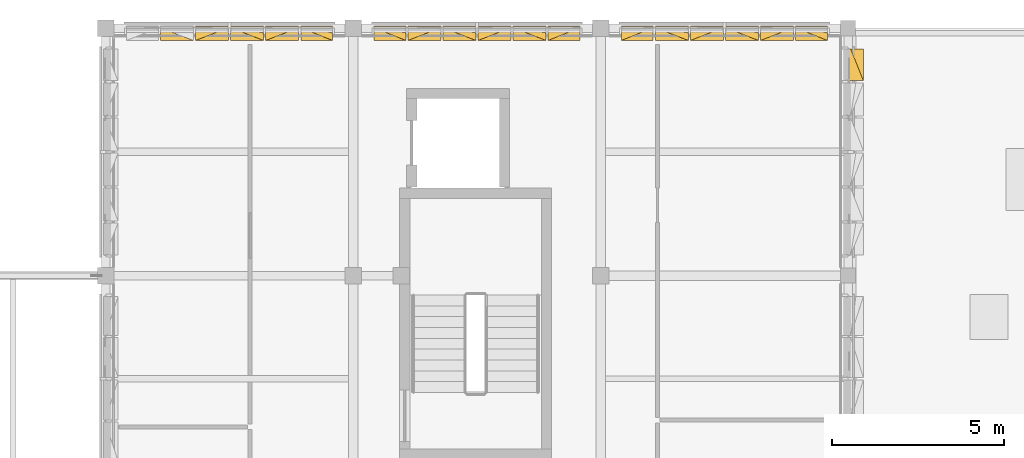
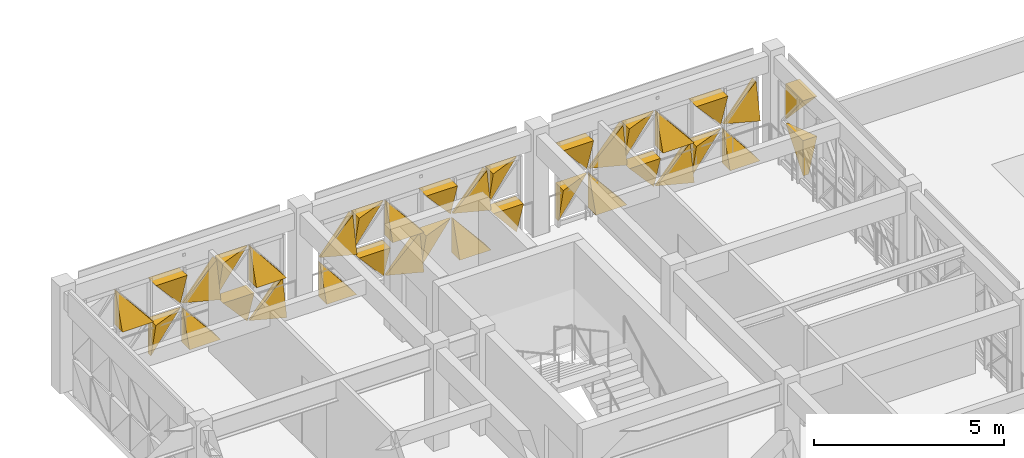
# One storey, part 30 of 30: 35 coverings.
"""IFC4 building model written with IfcOpenShell, lengths in metres."""

from ifc_helpers import new_model, si_unit, direction, frame, origin, place, context, subcontext, project, spatial, polygons, material, layer, layer_set, type_object, element, save


model = new_model("IFC4")

# Units and contexts
model_context = context("Model", 3, precision=1e-05, world=origin(), true_north=direction((0.0, 1.0)))
body_context = subcontext(model_context, "Body", "Model", "MODEL_VIEW")
ifc_project = project(units=[si_unit("LENGTHUNIT", "METRE"), si_unit("AREAUNIT", "SQUARE_METRE"), si_unit("VOLUMEUNIT", "CUBIC_METRE"), si_unit("PLANEANGLEUNIT", "RADIAN"), si_unit("MASSUNIT", "GRAM", prefix="KILO")], contexts=[model_context])

# Site, building, storey
site_placement = place(None, origin())
site = spatial("IfcSite", under=ifc_project, at=site_placement, CompositionType="ELEMENT")
building_placement = place(site_placement, origin())
building = spatial("IfcBuilding", under=site, at=building_placement, Name="Alvorim Cloister Faculty of Sciences", CompositionType="ELEMENT")
storey_placement = place(building_placement, frame((0.0, 0.0, 26.25)))
storey = spatial("IfcBuildingStorey", under=building, at=storey_placement, Name="L07", CompositionType="ELEMENT", Elevation=26.25)

# Coverings
ifc_material = material(Name="Perforated Bronze Alloy Sheet", Category="metal")
ifc_layer = layer(ifc_material, 0.0380859375)
ifc_layer_set = layer_set([ifc_layer], Name="Perforated Bronze Alloy Sheet")
covering_type = type_object("IfcCoveringType", Name="COV-TRI-BRZ", PredefinedType="CLADDING", material=ifc_layer_set)
covering_1_placement = place(storey_placement, frame((8.79248046875, 56.445068359375, 1.419921875), z_axis=(0.0, 0.0, 1.0), x_axis=(1.0, 0.0, 0.0)))
element("IfcCovering", 1, at=covering_1_placement, inside=storey, type_object=covering_type, Name="Diagonal Solid Metal Triangle TRI-BL", PredefinedType="CLADDING", context=body_context, shape_type="Tessellation", body=[
    polygons([(0.0, 0.0260009765625, 0.0), (0.953078125, 0.0260009765625, 0.0), (0.0, 0.0260009765625, 1.13813671875), (0.0, -0.4, 0.0), (0.953078125, -0.4, 0.0), (0.0, -0.03, 1.13813671875)], [[[1, 3, 2]], [[4, 5, 6]], [[1, 2, 5, 4]], [[2, 3, 6, 5]], [[3, 1, 4, 6]]], closed=True),
])
covering_2_placement = place(storey_placement, frame((9.8125, 56.445068359375, 0.139892578125), z_axis=(0.0, 0.0, 1.0), x_axis=(1.0, 0.0, 0.0)))
element("IfcCovering", 2, at=covering_2_placement, inside=storey, type_object=covering_type, Name="Diagonal Solid Metal Triangle TRI-TL", PredefinedType="CLADDING", context=body_context, shape_type="Tessellation", body=[
    polygons([(0.953078125, 0.0260009765625, 1.14013671875), (0.0, 0.0260009765625, 1.14013671875), (0.0, 0.0260009765625, 0.002), (0.953078125, -0.03, 1.14013671875), (0.0, -0.4, 1.14013671875), (0.0, -0.13999999999999999, 0.002)], [[[1, 3, 2]], [[4, 5, 6]], [[1, 2, 5, 4]], [[2, 3, 6, 5]], [[3, 1, 4, 6]]], closed=True),
])
covering_3_placement = place(storey_placement, frame((9.8125, 56.445068359375, 1.419921875), z_axis=(0.0, 0.0, 1.0), x_axis=(1.0, 0.0, 0.0)))
element("IfcCovering", 3, at=covering_3_placement, inside=storey, type_object=covering_type, Name="Diagonal Solid Metal Triangle TRI-TR", PredefinedType="CLADDING", context=body_context, shape_type="Tessellation", body=[
    polygons([(0.955078125, 0.0260009765625, 0.002), (0.955078125, 0.0260009765625, 1.14013671875), (0.002, 0.0260009765625, 1.14013671875), (0.955078125, -0.03, 0.002), (0.955078125, -0.4, 1.14013671875), (0.002, -0.4, 1.14013671875)], [[[1, 3, 2]], [[4, 5, 6]], [[1, 2, 5, 4]], [[2, 3, 6, 5]], [[3, 1, 4, 6]]], closed=True),
])
covering_4_placement = place(storey_placement, frame((10.83251953125, 56.445068359375, 0.139892578125), z_axis=(0.0, 0.0, 1.0), x_axis=(1.0, 0.0, 0.0)))
element("IfcCovering", 4, at=covering_4_placement, inside=storey, type_object=covering_type, Name="Diagonal Solid Metal Triangle TRI-BL", PredefinedType="CLADDING", context=body_context, shape_type="Tessellation", body=[
    polygons([(0.0, 0.0260009765625, 0.0), (0.953078125, 0.0260009765625, 0.0), (0.0, 0.0260009765625, 1.13813671875), (0.0, -0.4, 0.0), (0.953078125, -0.4, 0.0), (0.0, -0.03, 1.13813671875)], [[[1, 3, 2]], [[4, 5, 6]], [[1, 2, 5, 4]], [[2, 3, 6, 5]], [[3, 1, 4, 6]]], closed=True),
])
covering_5_placement = place(storey_placement, frame((10.83251953125, 56.445068359375, 1.419921875), z_axis=(0.0, 0.0, 1.0), x_axis=(1.0, 0.0, 0.0)))
element("IfcCovering", 5, at=covering_5_placement, inside=storey, type_object=covering_type, Name="Diagonal Solid Metal Triangle TRI-BR", PredefinedType="CLADDING", context=body_context, shape_type="Tessellation", body=[
    polygons([(0.002, 0.0260009765625, 0.0), (0.955078125, 0.0260009765625, 0.0), (0.955078125, 0.0260009765625, 1.13813671875), (0.002, -0.03, 0.0), (0.955078125, -0.4, 0.0), (0.955078125, -0.18000000000000002, 1.13813671875)], [[[1, 3, 2]], [[4, 5, 6]], [[1, 2, 5, 4]], [[2, 3, 6, 5]], [[3, 1, 4, 6]]], closed=True),
])
covering_6_placement = place(storey_placement, frame((11.8525390625, 56.445068359375, 0.139892578125), z_axis=(0.0, 0.0, 1.0), x_axis=(1.0, 0.0, 0.0)))
element("IfcCovering", 6, at=covering_6_placement, inside=storey, type_object=covering_type, Name="Diagonal Solid Metal Triangle TRI-TR", PredefinedType="CLADDING", context=body_context, shape_type="Tessellation", body=[
    polygons([(0.955078125, 0.0260009765625, 0.002), (0.955078125, 0.0260009765625, 1.14013671875), (0.002, 0.0260009765625, 1.14013671875), (0.955078125, -0.03, 0.002), (0.955078125, -0.4, 1.14013671875), (0.002, -0.4, 1.14013671875)], [[[1, 3, 2]], [[4, 5, 6]], [[1, 2, 5, 4]], [[2, 3, 6, 5]], [[3, 1, 4, 6]]], closed=True),
])
covering_7_placement = place(storey_placement, frame((11.8525390625, 56.445068359375, 1.419921875), z_axis=(0.0, 0.0, 1.0), x_axis=(1.0, 0.0, 0.0)))
element("IfcCovering", 7, at=covering_7_placement, inside=storey, type_object=covering_type, Name="Diagonal Solid Metal Triangle TRI-TL", PredefinedType="CLADDING", context=body_context, shape_type="Tessellation", body=[
    polygons([(0.953078125, 0.0260009765625, 1.14013671875), (0.0, 0.0260009765625, 1.14013671875), (0.0, 0.0260009765625, 0.002), (0.953078125, -0.03, 1.14013671875), (0.0, -0.4, 1.14013671875), (0.0, -0.13999999999999999, 0.002)], [[[1, 3, 2]], [[4, 5, 6]], [[1, 2, 5, 4]], [[2, 3, 6, 5]], [[3, 1, 4, 6]]], closed=True),
])
covering_8_placement = place(storey_placement, frame((12.87255859375, 56.445068359375, 0.139892578125), z_axis=(0.0, 0.0, 1.0), x_axis=(1.0, 0.0, 0.0)))
element("IfcCovering", 8, at=covering_8_placement, inside=storey, type_object=covering_type, Name="Diagonal Solid Metal Triangle TRI-BR", PredefinedType="CLADDING", context=body_context, shape_type="Tessellation", body=[
    polygons([(0.002, 0.0260009765625, 0.0), (0.922607421875, 0.0260009765625, 0.0), (0.922607421875, 0.0260009765625, 1.13813671875), (0.002, -0.03, 0.0), (0.922607421875, -0.4, 0.0), (0.922607421875, -0.18000000000000002, 1.13813671875)], [[[1, 3, 2]], [[4, 5, 6]], [[1, 2, 5, 4]], [[2, 3, 6, 5]], [[3, 1, 4, 6]]], closed=True),
])
for number, where, z_axis, x_axis, name in (
    (9, (12.87255859375, 56.445068359375, 1.419921875), (0.0, 0.0, 1.0), (1.0, 0.0, 0.0), "Diagonal Solid Metal Triangle TRI-BL"),
    (10, (15.0048828125, 56.445068359375, 0.139892578125), (0.0, 0.0, 1.0), (1.0, 0.0, 0.0), "Diagonal Solid Metal Triangle TRI-BL"),
):
    element("IfcCovering", number, at=place(storey_placement, frame(where, z_axis=z_axis, x_axis=x_axis)), inside=storey, type_object=covering_type, Name=name, PredefinedType="CLADDING", context=body_context, shape_type="Tessellation", body=[
        polygons([(0.0, 0.0260009765625, 0.0), (0.920607421875, 0.0260009765625, 0.0), (0.0, 0.0260009765625, 1.13813671875), (0.0, -0.4, 0.0), (0.920607421875, -0.4, 0.0), (0.0, -0.03, 1.13813671875)], [[[1, 3, 2]], [[4, 5, 6]], [[1, 2, 5, 4]], [[2, 3, 6, 5]], [[3, 1, 4, 6]]], closed=True),
    ])
covering_9_placement = place(storey_placement, frame((15.0048828125, 56.445068359375, 1.419921875), z_axis=(0.0, 0.0, 1.0), x_axis=(1.0, 0.0, 0.0)))
element("IfcCovering", 11, at=covering_9_placement, inside=storey, type_object=covering_type, Name="Diagonal Solid Metal Triangle TRI-BR", PredefinedType="CLADDING", context=body_context, shape_type="Tessellation", body=[
    polygons([(0.002, 0.0260009765625, 0.0), (0.922607421875, 0.0260009765625, 0.0), (0.922607421875, 0.0260009765625, 1.13813671875), (0.002, -0.03, 0.0), (0.922607421875, -0.4, 0.0), (0.922607421875, -0.18000000000000002, 1.13813671875)], [[[1, 3, 2]], [[4, 5, 6]], [[1, 2, 5, 4]], [[2, 3, 6, 5]], [[3, 1, 4, 6]]], closed=True),
])
covering_10_placement = place(storey_placement, frame((15.992431640625, 56.445068359375, 0.139892578125), z_axis=(0.0, 0.0, 1.0), x_axis=(1.0, 0.0, 0.0)))
element("IfcCovering", 12, at=covering_10_placement, inside=storey, type_object=covering_type, Name="Diagonal Solid Metal Triangle TRI-TR", PredefinedType="CLADDING", context=body_context, shape_type="Tessellation", body=[
    polygons([(0.955078125, 0.0260009765625, 0.002), (0.955078125, 0.0260009765625, 1.14013671875), (0.002, 0.0260009765625, 1.14013671875), (0.955078125, -0.03, 0.002), (0.955078125, -0.4, 1.14013671875), (0.002, -0.4, 1.14013671875)], [[[1, 3, 2]], [[4, 5, 6]], [[1, 2, 5, 4]], [[2, 3, 6, 5]], [[3, 1, 4, 6]]], closed=True),
])
covering_11_placement = place(storey_placement, frame((15.992431640625, 56.445068359375, 1.419921875), z_axis=(0.0, 0.0, 1.0), x_axis=(1.0, 0.0, 0.0)))
element("IfcCovering", 13, at=covering_11_placement, inside=storey, type_object=covering_type, Name="Diagonal Solid Metal Triangle TRI-TL", PredefinedType="CLADDING", context=body_context, shape_type="Tessellation", body=[
    polygons([(0.953078125, 0.0260009765625, 1.14013671875), (0.0, 0.0260009765625, 1.14013671875), (0.0, 0.0260009765625, 0.002), (0.953078125, -0.03, 1.14013671875), (0.0, -0.4, 1.14013671875), (0.0, -0.13999999999999999, 0.002)], [[[1, 3, 2]], [[4, 5, 6]], [[1, 2, 5, 4]], [[2, 3, 6, 5]], [[3, 1, 4, 6]]], closed=True),
])
covering_12_placement = place(storey_placement, frame((17.012451171875, 56.445068359375, 0.139892578125), z_axis=(0.0, 0.0, 1.0), x_axis=(1.0, 0.0, 0.0)))
element("IfcCovering", 14, at=covering_12_placement, inside=storey, type_object=covering_type, Name="Diagonal Solid Metal Triangle TRI-BR", PredefinedType="CLADDING", context=body_context, shape_type="Tessellation", body=[
    polygons([(0.002, 0.0260009765625, 0.0), (0.955078125, 0.0260009765625, 0.0), (0.955078125, 0.0260009765625, 1.13813671875), (0.002, -0.03, 0.0), (0.955078125, -0.4, 0.0), (0.955078125, -0.18000000000000002, 1.13813671875)], [[[1, 3, 2]], [[4, 5, 6]], [[1, 2, 5, 4]], [[2, 3, 6, 5]], [[3, 1, 4, 6]]], closed=True),
])
covering_13_placement = place(storey_placement, frame((17.012451171875, 56.445068359375, 1.419921875), z_axis=(0.0, 0.0, 1.0), x_axis=(1.0, 0.0, 0.0)))
element("IfcCovering", 15, at=covering_13_placement, inside=storey, type_object=covering_type, Name="Diagonal Solid Metal Triangle TRI-BL", PredefinedType="CLADDING", context=body_context, shape_type="Tessellation", body=[
    polygons([(0.0, 0.0260009765625, 0.0), (0.953078125, 0.0260009765625, 0.0), (0.0, 0.0260009765625, 1.13813671875), (0.0, -0.4, 0.0), (0.953078125, -0.4, 0.0), (0.0, -0.03, 1.13813671875)], [[[1, 3, 2]], [[4, 5, 6]], [[1, 2, 5, 4]], [[2, 3, 6, 5]], [[3, 1, 4, 6]]], closed=True),
])
covering_14_placement = place(storey_placement, frame((18.032470703125, 56.445068359375, 0.139892578125), z_axis=(0.0, 0.0, 1.0), x_axis=(1.0, 0.0, 0.0)))
element("IfcCovering", 16, at=covering_14_placement, inside=storey, type_object=covering_type, Name="Diagonal Solid Metal Triangle TRI-TL", PredefinedType="CLADDING", context=body_context, shape_type="Tessellation", body=[
    polygons([(0.953078125, 0.0260009765625, 1.14013671875), (0.0, 0.0260009765625, 1.14013671875), (0.0, 0.0260009765625, 0.002), (0.953078125, -0.03, 1.14013671875), (0.0, -0.4, 1.14013671875), (0.0, -0.13999999999999999, 0.002)], [[[1, 3, 2]], [[4, 5, 6]], [[1, 2, 5, 4]], [[2, 3, 6, 5]], [[3, 1, 4, 6]]], closed=True),
])
covering_15_placement = place(storey_placement, frame((18.032470703125, 56.445068359375, 1.419921875), z_axis=(0.0, 0.0, 1.0), x_axis=(1.0, 0.0, 0.0)))
element("IfcCovering", 17, at=covering_15_placement, inside=storey, type_object=covering_type, Name="Diagonal Solid Metal Triangle TRI-TR", PredefinedType="CLADDING", context=body_context, shape_type="Tessellation", body=[
    polygons([(0.955078125, 0.0260009765625, 0.002), (0.955078125, 0.0260009765625, 1.14013671875), (0.002, 0.0260009765625, 1.14013671875), (0.955078125, -0.03, 0.002), (0.955078125, -0.4, 1.14013671875), (0.002, -0.4, 1.14013671875)], [[[1, 3, 2]], [[4, 5, 6]], [[1, 2, 5, 4]], [[2, 3, 6, 5]], [[3, 1, 4, 6]]], closed=True),
])
covering_16_placement = place(storey_placement, frame((19.052490234375, 56.445068359375, 0.139892578125), z_axis=(0.0, 0.0, 1.0), x_axis=(1.0, 0.0, 0.0)))
element("IfcCovering", 18, at=covering_16_placement, inside=storey, type_object=covering_type, Name="Diagonal Solid Metal Triangle TRI-BL", PredefinedType="CLADDING", context=body_context, shape_type="Tessellation", body=[
    polygons([(0.0, 0.0260009765625, 0.0), (0.953078125, 0.0260009765625, 0.0), (0.0, 0.0260009765625, 1.13813671875), (0.0, -0.4, 0.0), (0.953078125, -0.4, 0.0), (0.0, -0.03, 1.13813671875)], [[[1, 3, 2]], [[4, 5, 6]], [[1, 2, 5, 4]], [[2, 3, 6, 5]], [[3, 1, 4, 6]]], closed=True),
])
covering_17_placement = place(storey_placement, frame((19.052490234375, 56.445068359375, 1.419921875), z_axis=(0.0, 0.0, 1.0), x_axis=(1.0, 0.0, 0.0)))
element("IfcCovering", 19, at=covering_17_placement, inside=storey, type_object=covering_type, Name="Diagonal Solid Metal Triangle TRI-BR", PredefinedType="CLADDING", context=body_context, shape_type="Tessellation", body=[
    polygons([(0.002, 0.0260009765625, 0.0), (0.955078125, 0.0260009765625, 0.0), (0.955078125, 0.0260009765625, 1.13813671875), (0.002, -0.03, 0.0), (0.955078125, -0.4, 0.0), (0.955078125, -0.18000000000000002, 1.13813671875)], [[[1, 3, 2]], [[4, 5, 6]], [[1, 2, 5, 4]], [[2, 3, 6, 5]], [[3, 1, 4, 6]]], closed=True),
])
covering_18_placement = place(storey_placement, frame((20.072509765625, 56.445068359375, 0.139892578125), z_axis=(0.0, 0.0, 1.0), x_axis=(1.0, 0.0, 0.0)))
element("IfcCovering", 20, at=covering_18_placement, inside=storey, type_object=covering_type, Name="Diagonal Solid Metal Triangle TRI-TR", PredefinedType="CLADDING", context=body_context, shape_type="Tessellation", body=[
    polygons([(0.922607421875, 0.0260009765625, 0.002), (0.922607421875, 0.0260009765625, 1.14013671875), (0.002, 0.0260009765625, 1.14013671875), (0.922607421875, -0.03, 0.002), (0.922607421875, -0.4, 1.14013671875), (0.002, -0.4, 1.14013671875)], [[[1, 3, 2]], [[4, 5, 6]], [[1, 2, 5, 4]], [[2, 3, 6, 5]], [[3, 1, 4, 6]]], closed=True),
])
for number, where, z_axis, x_axis, name in (
    (21, (20.072509765625, 56.445068359375, 1.419921875), (0.0, 0.0, 1.0), (1.0, 0.0, 0.0), "Diagonal Solid Metal Triangle TRI-TL"),
    (22, (22.205078125, 56.445068359375, 0.139892578125), (0.0, 0.0, 1.0), (1.0, 0.0, 0.0), "Diagonal Solid Metal Triangle TRI-TL"),
):
    element("IfcCovering", number, at=place(storey_placement, frame(where, z_axis=z_axis, x_axis=x_axis)), inside=storey, type_object=covering_type, Name=name, PredefinedType="CLADDING", context=body_context, shape_type="Tessellation", body=[
        polygons([(0.920607421875, 0.0260009765625, 1.14013671875), (0.0, 0.0260009765625, 1.14013671875), (0.0, 0.0260009765625, 0.002), (0.920607421875, -0.03, 1.14013671875), (0.0, -0.4, 1.14013671875), (0.0, -0.13999999999999999, 0.002)], [[[1, 3, 2]], [[4, 5, 6]], [[1, 2, 5, 4]], [[2, 3, 6, 5]], [[3, 1, 4, 6]]], closed=True),
    ])
covering_19_placement = place(storey_placement, frame((22.205078125, 56.445068359375, 1.419921875), z_axis=(0.0, 0.0, 1.0), x_axis=(1.0, 0.0, 0.0)))
element("IfcCovering", 23, at=covering_19_placement, inside=storey, type_object=covering_type, Name="Diagonal Solid Metal Triangle TRI-TR", PredefinedType="CLADDING", context=body_context, shape_type="Tessellation", body=[
    polygons([(0.922607421875, 0.0260009765625, 0.002), (0.922607421875, 0.0260009765625, 1.14013671875), (0.002, 0.0260009765625, 1.14013671875), (0.922607421875, -0.03, 0.002), (0.922607421875, -0.4, 1.14013671875), (0.002, -0.4, 1.14013671875)], [[[1, 3, 2]], [[4, 5, 6]], [[1, 2, 5, 4]], [[2, 3, 6, 5]], [[3, 1, 4, 6]]], closed=True),
])
covering_20_placement = place(storey_placement, frame((23.1923828125, 56.445068359375, 0.139892578125), z_axis=(0.0, 0.0, 1.0), x_axis=(1.0, 0.0, 0.0)))
element("IfcCovering", 24, at=covering_20_placement, inside=storey, type_object=covering_type, Name="Diagonal Solid Metal Triangle TRI-BL", PredefinedType="CLADDING", context=body_context, shape_type="Tessellation", body=[
    polygons([(0.0, 0.0260009765625, 0.0), (0.953078125, 0.0260009765625, 0.0), (0.0, 0.0260009765625, 1.13813671875), (0.0, -0.4, 0.0), (0.953078125, -0.4, 0.0), (0.0, -0.03, 1.13813671875)], [[[1, 3, 2]], [[4, 5, 6]], [[1, 2, 5, 4]], [[2, 3, 6, 5]], [[3, 1, 4, 6]]], closed=True),
])
covering_21_placement = place(storey_placement, frame((23.1923828125, 56.445068359375, 1.419921875), z_axis=(0.0, 0.0, 1.0), x_axis=(1.0, 0.0, 0.0)))
element("IfcCovering", 25, at=covering_21_placement, inside=storey, type_object=covering_type, Name="Diagonal Solid Metal Triangle TRI-BR", PredefinedType="CLADDING", context=body_context, shape_type="Tessellation", body=[
    polygons([(0.002, 0.0260009765625, 0.0), (0.955078125, 0.0260009765625, 0.0), (0.955078125, 0.0260009765625, 1.13813671875), (0.002, -0.03, 0.0), (0.955078125, -0.4, 0.0), (0.955078125, -0.18000000000000002, 1.13813671875)], [[[1, 3, 2]], [[4, 5, 6]], [[1, 2, 5, 4]], [[2, 3, 6, 5]], [[3, 1, 4, 6]]], closed=True),
])
covering_22_placement = place(storey_placement, frame((24.21240234375, 56.445068359375, 0.139892578125), z_axis=(0.0, 0.0, 1.0), x_axis=(1.0, 0.0, 0.0)))
element("IfcCovering", 26, at=covering_22_placement, inside=storey, type_object=covering_type, Name="Diagonal Solid Metal Triangle TRI-TR", PredefinedType="CLADDING", context=body_context, shape_type="Tessellation", body=[
    polygons([(0.955078125, 0.0260009765625, 0.002), (0.955078125, 0.0260009765625, 1.14013671875), (0.002, 0.0260009765625, 1.14013671875), (0.955078125, -0.03, 0.002), (0.955078125, -0.4, 1.14013671875), (0.002, -0.4, 1.14013671875)], [[[1, 3, 2]], [[4, 5, 6]], [[1, 2, 5, 4]], [[2, 3, 6, 5]], [[3, 1, 4, 6]]], closed=True),
])
covering_23_placement = place(storey_placement, frame((24.21240234375, 56.445068359375, 1.419921875), z_axis=(0.0, 0.0, 1.0), x_axis=(1.0, 0.0, 0.0)))
element("IfcCovering", 27, at=covering_23_placement, inside=storey, type_object=covering_type, Name="Diagonal Solid Metal Triangle TRI-TL", PredefinedType="CLADDING", context=body_context, shape_type="Tessellation", body=[
    polygons([(0.953078125, 0.0260009765625, 1.14013671875), (0.0, 0.0260009765625, 1.14013671875), (0.0, 0.0260009765625, 0.002), (0.953078125, -0.03, 1.14013671875), (0.0, -0.4, 1.14013671875), (0.0, -0.13999999999999999, 0.002)], [[[1, 3, 2]], [[4, 5, 6]], [[1, 2, 5, 4]], [[2, 3, 6, 5]], [[3, 1, 4, 6]]], closed=True),
])
covering_24_placement = place(storey_placement, frame((25.232421875, 56.445068359375, 0.139892578125), z_axis=(0.0, 0.0, 1.0), x_axis=(1.0, 0.0, 0.0)))
element("IfcCovering", 28, at=covering_24_placement, inside=storey, type_object=covering_type, Name="Diagonal Solid Metal Triangle TRI-BR", PredefinedType="CLADDING", context=body_context, shape_type="Tessellation", body=[
    polygons([(0.002, 0.0260009765625, 0.0), (0.955078125, 0.0260009765625, 0.0), (0.955078125, 0.0260009765625, 1.13813671875), (0.002, -0.03, 0.0), (0.955078125, -0.4, 0.0), (0.955078125, -0.18000000000000002, 1.13813671875)], [[[1, 3, 2]], [[4, 5, 6]], [[1, 2, 5, 4]], [[2, 3, 6, 5]], [[3, 1, 4, 6]]], closed=True),
])
covering_25_placement = place(storey_placement, frame((25.232421875, 56.445068359375, 1.419921875), z_axis=(0.0, 0.0, 1.0), x_axis=(1.0, 0.0, 0.0)))
element("IfcCovering", 29, at=covering_25_placement, inside=storey, type_object=covering_type, Name="Diagonal Solid Metal Triangle TRI-BL", PredefinedType="CLADDING", context=body_context, shape_type="Tessellation", body=[
    polygons([(0.0, 0.0260009765625, 0.0), (0.953078125, 0.0260009765625, 0.0), (0.0, 0.0260009765625, 1.13813671875), (0.0, -0.4, 0.0), (0.953078125, -0.4, 0.0), (0.0, -0.03, 1.13813671875)], [[[1, 3, 2]], [[4, 5, 6]], [[1, 2, 5, 4]], [[2, 3, 6, 5]], [[3, 1, 4, 6]]], closed=True),
])
covering_26_placement = place(storey_placement, frame((26.25244140625, 56.445068359375, 0.139892578125), z_axis=(0.0, 0.0, 1.0), x_axis=(1.0, 0.0, 0.0)))
element("IfcCovering", 30, at=covering_26_placement, inside=storey, type_object=covering_type, Name="Diagonal Solid Metal Triangle TRI-TL", PredefinedType="CLADDING", context=body_context, shape_type="Tessellation", body=[
    polygons([(0.953078125, 0.0260009765625, 1.14013671875), (0.0, 0.0260009765625, 1.14013671875), (0.0, 0.0260009765625, 0.002), (0.953078125, -0.03, 1.14013671875), (0.0, -0.4, 1.14013671875), (0.0, -0.13999999999999999, 0.002)], [[[1, 3, 2]], [[4, 5, 6]], [[1, 2, 5, 4]], [[2, 3, 6, 5]], [[3, 1, 4, 6]]], closed=True),
])
covering_27_placement = place(storey_placement, frame((26.25244140625, 56.445068359375, 1.419921875), z_axis=(0.0, 0.0, 1.0), x_axis=(1.0, 0.0, 0.0)))
element("IfcCovering", 31, at=covering_27_placement, inside=storey, type_object=covering_type, Name="Diagonal Solid Metal Triangle TRI-TR", PredefinedType="CLADDING", context=body_context, shape_type="Tessellation", body=[
    polygons([(0.955078125, 0.0260009765625, 0.002), (0.955078125, 0.0260009765625, 1.14013671875), (0.002, 0.0260009765625, 1.14013671875), (0.955078125, -0.03, 0.002), (0.955078125, -0.4, 1.14013671875), (0.002, -0.4, 1.14013671875)], [[[1, 3, 2]], [[4, 5, 6]], [[1, 2, 5, 4]], [[2, 3, 6, 5]], [[3, 1, 4, 6]]], closed=True),
])
covering_28_placement = place(storey_placement, frame((27.2724609375, 56.445068359375, 0.139892578125), z_axis=(0.0, 0.0, 1.0), x_axis=(1.0, 0.0, 0.0)))
element("IfcCovering", 32, at=covering_28_placement, inside=storey, type_object=covering_type, Name="Diagonal Solid Metal Triangle TRI-BL", PredefinedType="CLADDING", context=body_context, shape_type="Tessellation", body=[
    polygons([(0.0, 0.0260009765625, 0.0), (0.920607421875, 0.0260009765625, 0.0), (0.0, 0.0260009765625, 1.13813671875), (0.0, -0.4, 0.0), (0.920607421875, -0.4, 0.0), (0.0, -0.03, 1.13813671875)], [[[1, 3, 2]], [[4, 5, 6]], [[1, 2, 5, 4]], [[2, 3, 6, 5]], [[3, 1, 4, 6]]], closed=True),
])
covering_29_placement = place(storey_placement, frame((27.2724609375, 56.445068359375, 1.419921875), z_axis=(0.0, 0.0, 1.0), x_axis=(1.0, 0.0, 0.0)))
element("IfcCovering", 33, at=covering_29_placement, inside=storey, type_object=covering_type, Name="Diagonal Solid Metal Triangle TRI-BR", PredefinedType="CLADDING", context=body_context, shape_type="Tessellation", body=[
    polygons([(0.002, 0.0260009765625, 0.0), (0.922607421875, 0.0260009765625, 0.0), (0.922607421875, 0.0260009765625, 1.13813671875), (0.002, -0.03, 0.0), (0.922607421875, -0.4, 0.0), (0.922607421875, -0.18000000000000002, 1.13813671875)], [[[1, 3, 2]], [[4, 5, 6]], [[1, 2, 5, 4]], [[2, 3, 6, 5]], [[3, 1, 4, 6]]], closed=True),
])
covering_30_placement = place(storey_placement, frame((28.844970703125, 54.87255859375, 0.139892578125), z_axis=(0.0, 0.0, 1.0), x_axis=(0.0, 1.0, 0.0)))
element("IfcCovering", 34, at=covering_30_placement, inside=storey, type_object=covering_type, Name="Diagonal Solid Metal Triangle TRI-TL", PredefinedType="CLADDING", context=body_context, shape_type="Tessellation", body=[
    polygons([(0.920607421875, 0.0260009765625, 1.14013671875), (0.0, 0.0260009765625, 1.14013671875), (0.0, 0.0260009765625, 0.002), (0.920607421875, -0.03, 1.14013671875), (0.0, -0.4, 1.14013671875), (0.0, -0.13999999999999999, 0.002)], [[[1, 3, 2]], [[4, 5, 6]], [[1, 2, 5, 4]], [[2, 3, 6, 5]], [[3, 1, 4, 6]]], closed=True),
])
covering_31_placement = place(storey_placement, frame((28.844970703125, 54.87255859375, 1.419921875), z_axis=(0.0, 0.0, 1.0), x_axis=(0.0, 1.0, 0.0)))
element("IfcCovering", 35, at=covering_31_placement, inside=storey, type_object=covering_type, Name="Diagonal Solid Metal Triangle TRI-TR", PredefinedType="CLADDING", context=body_context, shape_type="Tessellation", body=[
    polygons([(0.922607421875, 0.0260009765625, 0.002), (0.922607421875, 0.0260009765625, 1.14013671875), (0.002, 0.0260009765625, 1.14013671875), (0.922607421875, -0.03, 0.002), (0.922607421875, -0.4, 1.14013671875), (0.002, -0.4, 1.14013671875)], [[[1, 3, 2]], [[4, 5, 6]], [[1, 2, 5, 4]], [[2, 3, 6, 5]], [[3, 1, 4, 6]]], closed=True),
])

save(model, "model.ifc")
